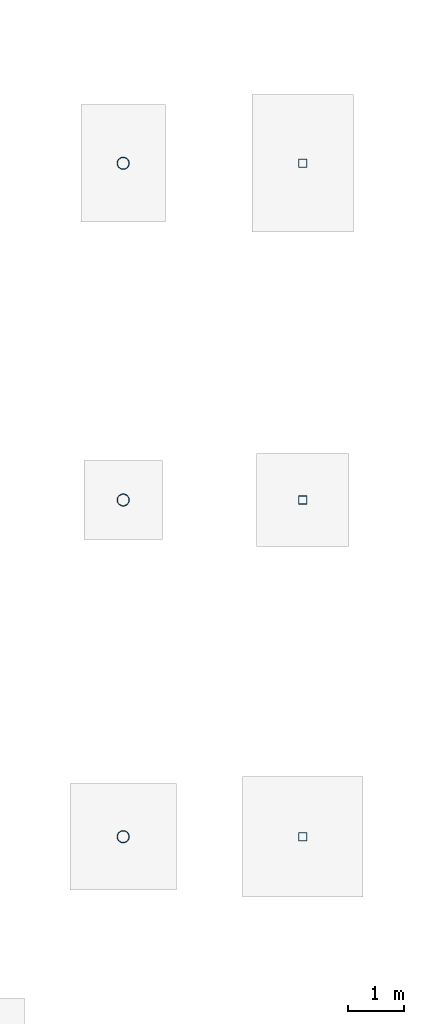
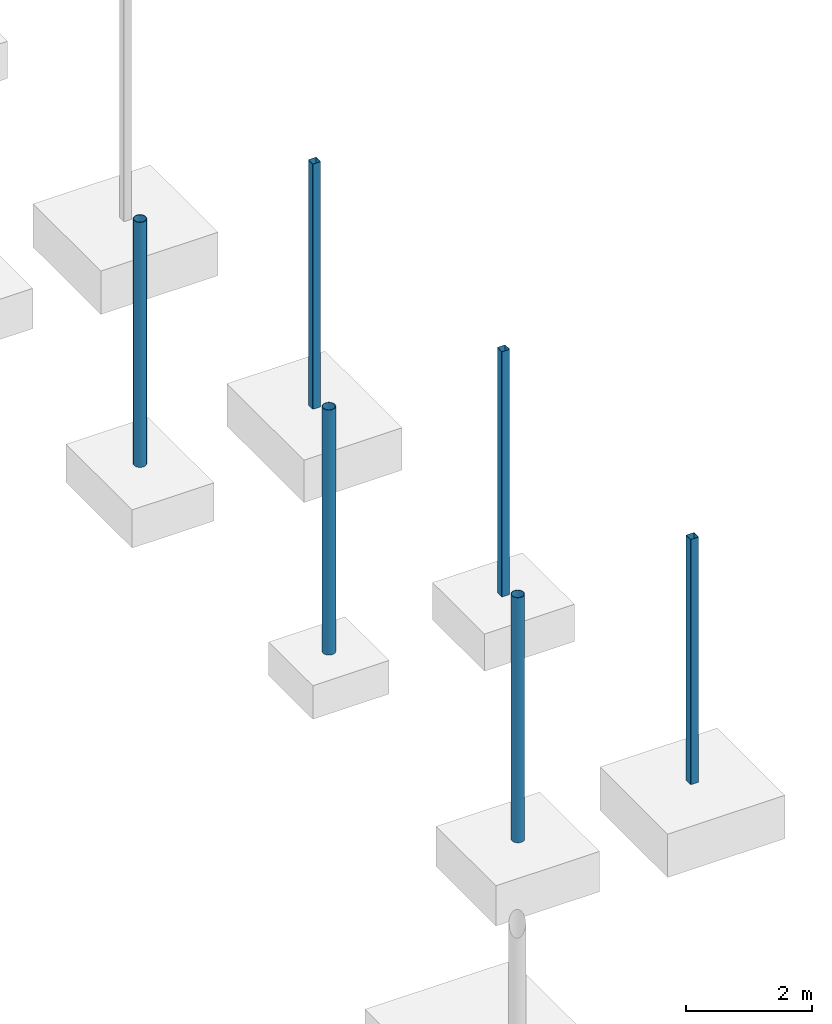
# One storey, part 51 of 75: 6 columns.
"""IFC4 building model written with IfcOpenShell, lengths in metres."""

from ifc_helpers import new_model, si_unit, derived_unit, direction, frame, origin, origin_2d_with_axis, place, context, subcontext, project, spatial, hollow_rectangle, hollow_circle, extrude, material, material_profile, profile_set, type_object, element, save


model = new_model("IFC4")

# Units and contexts
model_context = context("Model", 3, precision=1e-05, world=origin(), true_north=direction((0.0, 1.0)))
body_context = subcontext(model_context, "Body", "Model", "MODEL_VIEW")
ifc_project = project(units=[si_unit("LENGTHUNIT", "METRE"), si_unit("AREAUNIT", "SQUARE_METRE"), si_unit("VOLUMEUNIT", "CUBIC_METRE"), si_unit("PLANEANGLEUNIT", "RADIAN"), si_unit("MASSUNIT", "GRAM", prefix="KILO"), derived_unit("THERMALTRANSMITTANCEUNIT", [(si_unit("POWERUNIT", "WATT"), 1), (si_unit("LENGTHUNIT", "METRE"), -2), (si_unit("THERMODYNAMICTEMPERATUREUNIT", "KELVIN"), -1)])], contexts=[model_context])

# Site, building, storey
site_placement = place(None, origin())
site = spatial("IfcSite", under=ifc_project, at=site_placement, CompositionType="ELEMENT")
building_placement = place(site_placement, origin())
building = spatial("IfcBuilding", under=site, at=building_placement, Name="Cinnabar Yard Market Hall", CompositionType="ELEMENT")
storey_placement = place(building_placement, frame((0.0, 0.0, -4.5)))
storey = spatial("IfcBuildingStorey", under=building, at=storey_placement, Name="B1", CompositionType="ELEMENT", Elevation=-4.5)

# Columns
ifc_material_1 = material(Name="Spotted-gum glulam-clad steel Grade 350 (350 MPa)", Category="steel")
ifc_material_profile_1 = material_profile(ifc_material_1, hollow_circle(Radius=0.109619140625, WallThickness=0.00830078125, at=origin_2d_with_axis()), Name="219.1x8.2CHS")
ifc_profile_set_1 = profile_set([ifc_material_profile_1], Name="Spotted-gum glulam-clad steel Grade 350 (350 MPa)")
column_type_1 = type_object("IfcColumnType", Name="COL-C05", PredefinedType="COLUMN", material=ifc_profile_set_1)
for number, where, z_axis, x_axis, name in (
    (1, (158.0, 78.0, -0.449951171875), (0.0, 0.0, 1.0), (1.0, 0.0, 0.0), "Passage Pier V5E-A1 B1"),
    (2, (158.0, 84.0, -0.449951171875), (0.0, 0.0, 1.0), (1.0, 0.0, 0.0), "Passage Pier V5E-A2 B1"),
    (3, (158.0, 90.0, -0.449951171875), (0.0, 0.0, 1.0), (1.0, 0.0, 0.0), "Passage Pier V5E-A3 B1"),
):
    element("IfcColumn", number, at=place(storey_placement, frame(where, z_axis=z_axis, x_axis=x_axis)), inside=storey, type_object=column_type_1, Name=name, PredefinedType="COLUMN", context=body_context, shape_type="SweptSolid", body=[
        extrude(hollow_circle(Radius=0.109619140625, WallThickness=0.00830078125, at=origin_2d_with_axis()), origin(), (0.0, 0.0, 1.0), 4.75),
    ])
ifc_material_2 = material(Name="Cold-formed steel C350L0", Category="steel")
ifc_material_profile_2 = material_profile(ifc_material_2, hollow_rectangle(XDim=0.14990234375, YDim=0.14990234375, WallThickness=0.006103515625, InnerFilletRadius=0.006103515625, OuterFilletRadius=0.011962890625, at=origin_2d_with_axis()), Name="150x150x6.0SHS")
ifc_profile_set_2 = profile_set([ifc_material_profile_2], Name="Cold-formed steel C350L0")
column_type_2 = type_object("IfcColumnType", Name="COL-C16", PredefinedType="COLUMN", material=ifc_profile_set_2)
for number, where, z_axis, x_axis, name in (
    (4, (161.199951171875, 78.0, -0.449951171875), (0.0, 0.0, 1.0), (1.0, 0.0, 0.0), "Passage Pier V5E-B1 B1"),
    (5, (161.199951171875, 84.0, -0.449951171875), (0.0, 0.0, 1.0), (1.0, 0.0, 0.0), "Passage Pier V5E-B2 B1"),
    (6, (161.199951171875, 90.0, -0.449951171875), (0.0, 0.0, 1.0), (1.0, 0.0, 0.0), "Passage Pier V5E-B3 B1"),
):
    element("IfcColumn", number, at=place(storey_placement, frame(where, z_axis=z_axis, x_axis=x_axis)), inside=storey, type_object=column_type_2, Name=name, PredefinedType="COLUMN", context=body_context, shape_type="SweptSolid", body=[
        extrude(hollow_rectangle(XDim=0.14990234375, YDim=0.14990234375, WallThickness=0.006103515625, InnerFilletRadius=0.006103515625, OuterFilletRadius=0.011962890625, at=origin_2d_with_axis()), origin(), (0.0, 0.0, 1.0), 4.75),
    ])

save(model, "model.ifc")
